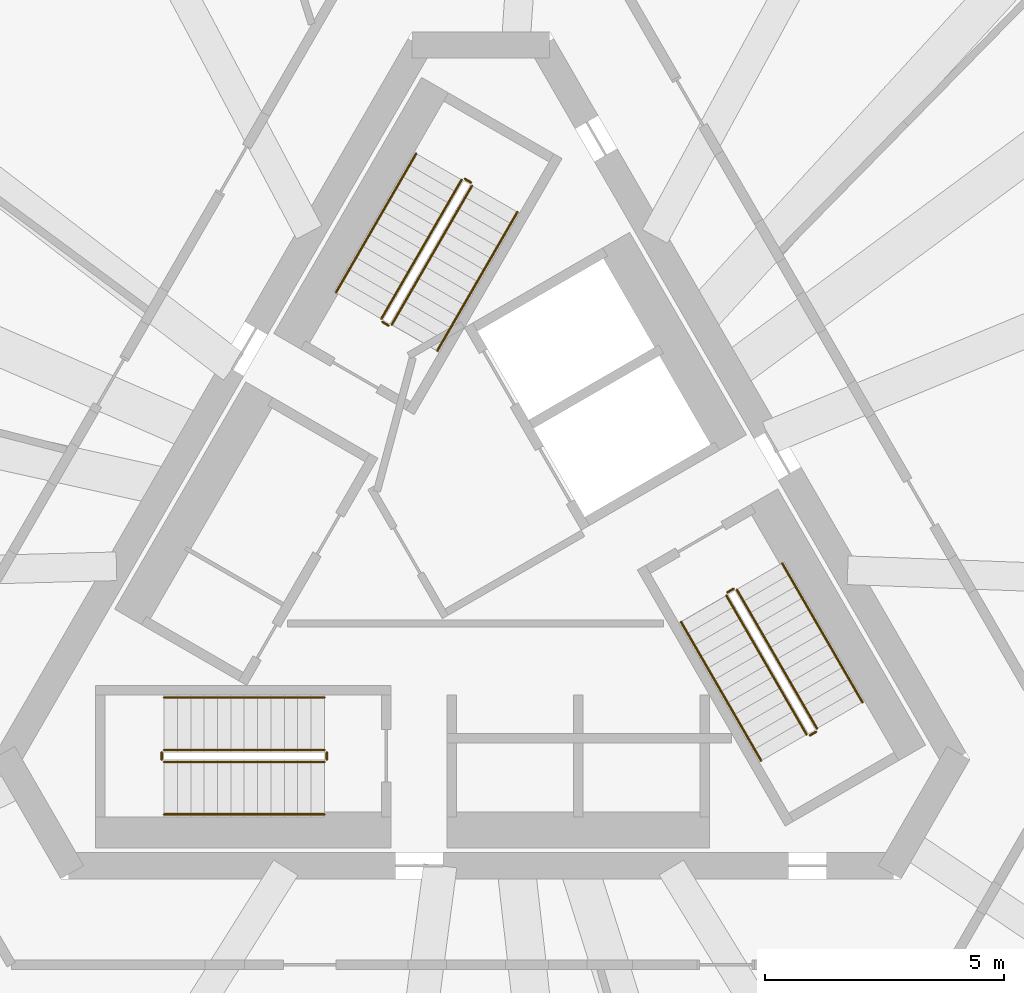
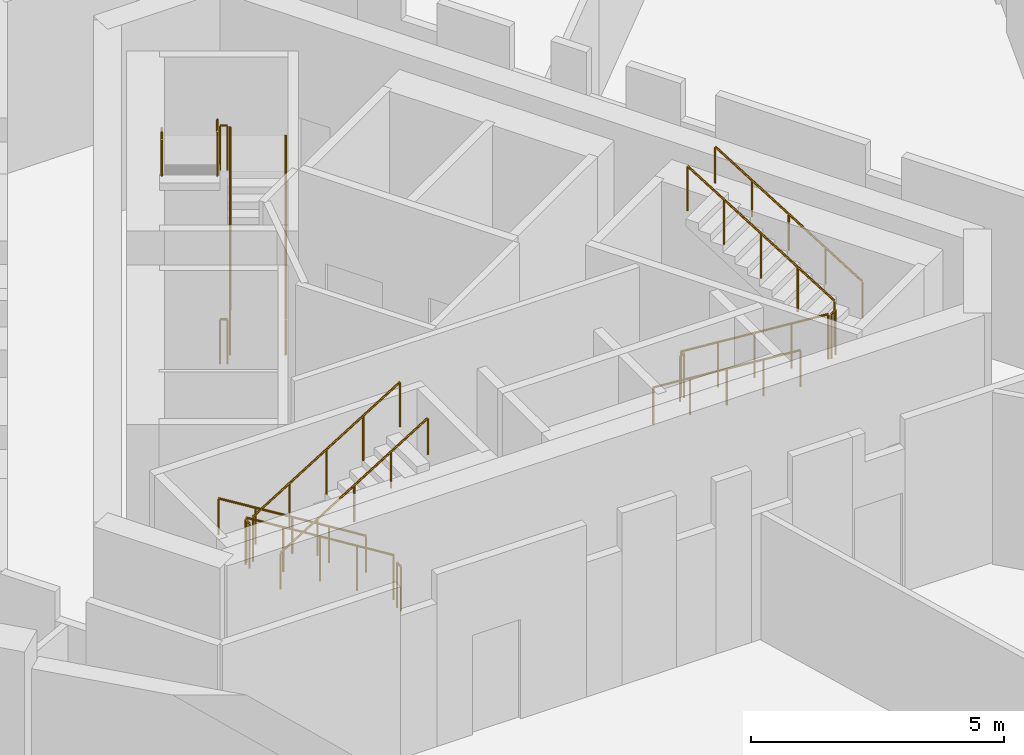
# One storey, part 5 of 5: 18 railings.
"""IFC4 building model written with IfcOpenShell, lengths in metres."""

from ifc_helpers import new_model, si_unit, direction, frame, origin, origin_2d, place, context, subcontext, project, spatial, circle, extrude, material, type_object, element, save


model = new_model("IFC4")

# Units and contexts
model_context = context("Model", 3, precision=1e-05, world=origin(), true_north=direction((0.0, 1.0)))
body_context = subcontext(model_context, "Body", "Model", "MODEL_VIEW")
ifc_project = project(units=[si_unit("LENGTHUNIT", "METRE"), si_unit("AREAUNIT", "SQUARE_METRE"), si_unit("VOLUMEUNIT", "CUBIC_METRE"), si_unit("PLANEANGLEUNIT", "RADIAN"), si_unit("MASSUNIT", "GRAM", prefix="KILO")], contexts=[model_context])

# Site, building, storey
site_placement = place(None, origin())
site = spatial("IfcSite", under=ifc_project, at=site_placement, CompositionType="ELEMENT")
building_placement = place(site_placement, origin())
building = spatial("IfcBuilding", under=site, at=building_placement, Name="Tramontana Tower", CompositionType="ELEMENT")
storey_placement = place(building_placement, frame((0.0, 0.0, 352.39990234375)))
storey = spatial("IfcBuildingStorey", under=building, at=storey_placement, Name="L81", CompositionType="ELEMENT", Elevation=352.39990234375)

# Railings
ifc_material_1 = material(Name="Painted steel", Category="steel")
railing_type_1 = type_object("IfcRailingType", Name="STAIR GUARD 1100", PredefinedType="GUARDRAIL", material=ifc_material_1)
railing_1_placement = place(storey_placement, frame((-1.867431640625, 4.865478515625, 0.173095703125)))
element("IfcRailing", 1, at=railing_1_placement, inside=storey, type_object=railing_type_1, Name="L81 ST1 stair guard 1", PredefinedType="GUARDRAIL", context=body_context, shape_type="SweptSolid", body=[
    extrude(circle(Radius=0.02392578125, at=origin_2d()), frame((0.0, 0.0, 1.076171875), z_axis=(0.425288379326, 0.736667954249, 0.525785240943), x_axis=(-0.866039179741, 0.499976138585, 0.0)), (0.0, 0.0, 1.0), 3.9501953125),
    extrude(circle(Radius=0.02099609375, at=origin_2d()), origin(), (0.0, 0.0, 1.0), 1.052001953125),
    extrude(circle(Radius=0.02099609375, at=origin_2d()), frame((0.419921875, 0.7275390625, 0.519287109375)), (0.0, 0.0, 1.0), 1.052001953125),
    extrude(circle(Radius=0.02099609375, at=origin_2d()), frame((0.83984375, 1.455078125, 1.03857421875)), (0.0, 0.0, 1.0), 1.052001953125),
    extrude(circle(Radius=0.02099609375, at=origin_2d()), frame((1.260009765625, 2.182373046875, 1.5576171875)), (0.0, 0.0, 1.0), 1.052001953125),
    extrude(circle(Radius=0.02099609375, at=origin_2d()), frame((1.679931640625, 2.909912109375, 2.076904296875)), (0.0, 0.0, 1.0), 1.052001953125),
])
railing_2_placement = place(storey_placement, frame((-0.40380859375, 7.900390625, 2.423095703125)))
element("IfcRailing", 2, at=railing_2_placement, inside=storey, type_object=railing_type_1, Name="L81 ST1 stair guard 2", PredefinedType="GUARDRAIL", context=body_context, shape_type="SweptSolid", body=[
    extrude(circle(Radius=0.02392578125, at=origin_2d()), frame((0.0, 0.0, 1.076171875), z_axis=(-0.42533900462, -0.736648589954, 0.52577141998), x_axis=(0.866007717299, -0.500030632641, 0.0)), (0.0, 0.0, 1.0), 3.9501953125),
    extrude(circle(Radius=0.02099609375, at=origin_2d()), origin(), (0.0, 0.0, 1.0), 1.052001953125),
    extrude(circle(Radius=0.02099609375, at=origin_2d()), frame((-0.419921875, -0.7275390625, 0.519287109375)), (0.0, 0.0, 1.0), 1.052001953125),
    extrude(circle(Radius=0.02099609375, at=origin_2d()), frame((-0.840087890625, -1.455078125, 1.03857421875)), (0.0, 0.0, 1.0), 1.052001953125),
    extrude(circle(Radius=0.02099609375, at=origin_2d()), frame((-1.26025390625, -2.182373046875, 1.5576171875)), (0.0, 0.0, 1.0), 1.052001953125),
    extrude(circle(Radius=0.02099609375, at=origin_2d()), frame((-1.68017578125, -2.909912109375, 2.076904296875)), (0.0, 0.0, 1.0), 1.052001953125),
])
railing_3_placement = place(storey_placement, frame((-0.205810546875, 7.84375, 2.25)))
element("IfcRailing", 3, at=railing_3_placement, inside=storey, type_object=railing_type_1, Name="L81 ST1 stair guard 3", PredefinedType="GUARDRAIL", context=body_context, shape_type="SweptSolid", body=[
    extrude(circle(Radius=0.02392578125, at=origin_2d()), frame((0.0, 0.0, 1.076171875), z_axis=(-0.866131372301, 0.499816412211, 0.0), x_axis=(-0.499816412211, -0.866131372301, 0.0)), (0.0, 0.0, 1.0), 0.14990234375),
    extrude(circle(Radius=0.02099609375, at=origin_2d()), origin(), (0.0, 0.0, 1.0), 1.052001953125),
    extrude(circle(Radius=0.02099609375, at=origin_2d()), frame((-0.1298828125, 0.074951171875, 0.0)), (0.0, 0.0, 1.0), 1.052001953125),
])
railing_4_placement = place(storey_placement, frame((-1.935791015625, 4.84716796875, 0.0)))
element("IfcRailing", 4, at=railing_4_placement, inside=storey, type_object=railing_type_1, Name="L81 ST1 stair guard 4", PredefinedType="GUARDRAIL", context=body_context, shape_type="SweptSolid", body=[
    extrude(circle(Radius=0.02392578125, at=origin_2d()), frame((0.0, 0.0, 1.076171875), z_axis=(-0.865426285481, 0.501036270542, 0.0), x_axis=(-0.501036270542, -0.865426285481, 0.0)), (0.0, 0.0, 1.0), 0.150146484375),
    extrude(circle(Radius=0.02099609375, at=origin_2d()), origin(), (0.0, 0.0, 1.0), 1.052001953125),
    extrude(circle(Radius=0.02099609375, at=origin_2d()), frame((-0.1298828125, 0.0751953125, 0.0)), (0.0, 0.0, 1.0), 1.052001953125),
])
railing_5_placement = place(storey_placement, frame((-3.280029296875, -4.050048828125, 0.173095703125)))
element("IfcRailing", 5, at=railing_5_placement, inside=storey, type_object=railing_type_1, Name="L81 ST2 stair guard 1", PredefinedType="GUARDRAIL", context=body_context, shape_type="SweptSolid", body=[
    extrude(circle(Radius=0.02392578125, at=origin_2d()), frame((0.0, 0.0, 1.076171875), z_axis=(-0.850606129759, 0.0, 0.525803396734), x_axis=(0.0, -1.0, 0.0)), (0.0, 0.0, 1.0), 3.949951171875),
    extrude(circle(Radius=0.02099609375, at=origin_2d()), origin(), (0.0, 0.0, 1.0), 1.052001953125),
    extrude(circle(Radius=0.02099609375, at=origin_2d()), frame((-0.83984375, 0.0, 0.519287109375)), (0.0, 0.0, 1.0), 1.052001953125),
    extrude(circle(Radius=0.02099609375, at=origin_2d()), frame((-1.679931640625, 0.0, 1.03857421875)), (0.0, 0.0, 1.0), 1.052001953125),
    extrude(circle(Radius=0.02099609375, at=origin_2d()), frame((-2.52001953125, 0.0, 1.5576171875)), (0.0, 0.0, 1.0), 1.052001953125),
    extrude(circle(Radius=0.02099609375, at=origin_2d()), frame((-3.35986328125, 0.0, 2.076904296875)), (0.0, 0.0, 1.0), 1.052001953125),
])
railing_6_placement = place(storey_placement, frame((-6.639892578125, -4.300048828125, 2.423095703125)))
element("IfcRailing", 6, at=railing_6_placement, inside=storey, type_object=railing_type_1, Name="L81 ST2 stair guard 2", PredefinedType="GUARDRAIL", context=body_context, shape_type="SweptSolid", body=[
    extrude(circle(Radius=0.02392578125, at=origin_2d()), frame((0.0, 0.0, 1.076171875), z_axis=(0.850606129759, 0.0, 0.525803396734), x_axis=(0.0, 1.0, 0.0)), (0.0, 0.0, 1.0), 3.949951171875),
    extrude(circle(Radius=0.02099609375, at=origin_2d()), origin(), (0.0, 0.0, 1.0), 1.052001953125),
    extrude(circle(Radius=0.02099609375, at=origin_2d()), frame((0.83984375, 0.0, 0.519287109375)), (0.0, 0.0, 1.0), 1.052001953125),
    extrude(circle(Radius=0.02099609375, at=origin_2d()), frame((1.679931640625, 0.0, 1.03857421875)), (0.0, 0.0, 1.0), 1.052001953125),
    extrude(circle(Radius=0.02099609375, at=origin_2d()), frame((2.52001953125, 0.0, 1.5576171875)), (0.0, 0.0, 1.0), 1.052001953125),
    extrude(circle(Radius=0.02099609375, at=origin_2d()), frame((3.35986328125, 0.0, 2.076904296875)), (0.0, 0.0, 1.0), 1.052001953125),
])
for number, where, name in (
    (7, (-6.68994140625, -4.10009765625, 2.25), "L81 ST2 stair guard 3"),
    (8, (-3.22998046875, -4.10009765625, 0.0), "L81 ST2 stair guard 4"),
):
    element("IfcRailing", number, at=place(storey_placement, frame(where)), inside=storey, type_object=railing_type_1, Name=name, PredefinedType="GUARDRAIL", context=body_context, shape_type="SweptSolid", body=[
        extrude(circle(Radius=0.02392578125, at=origin_2d()), frame((0.0, 0.0, 1.076171875), z_axis=(0.0, -1.0, 0.0), x_axis=(1.0, 0.0, 0.0)), (0.0, 0.0, 1.0), 0.14990234375),
        extrude(circle(Radius=0.02099609375, at=origin_2d()), origin(), (0.0, 0.0, 1.0), 1.052001953125),
        extrude(circle(Radius=0.02099609375, at=origin_2d()), frame((0.0, -0.14990234375, 0.0)), (0.0, 0.0, 1.0), 1.052001953125),
    ])
railing_7_placement = place(storey_placement, frame((5.1474609375, -0.815673828125, 0.173095703125)))
element("IfcRailing", 9, at=railing_7_placement, inside=storey, type_object=railing_type_1, Name="L81 ST3 stair guard 1", PredefinedType="GUARDRAIL", context=body_context, shape_type="SweptSolid", body=[
    extrude(circle(Radius=0.02392578125, at=origin_2d()), frame((0.0, 0.0, 1.076171875), z_axis=(0.425307743487, -0.736639687092, 0.525809180911), x_axis=(0.866021014662, 0.500007602105, 0.0)), (0.0, 0.0, 1.0), 3.949951171875),
    extrude(circle(Radius=0.02099609375, at=origin_2d()), origin(), (0.0, 0.0, 1.0), 1.052001953125),
    extrude(circle(Radius=0.02099609375, at=origin_2d()), frame((0.419921875, -0.7275390625, 0.519287109375)), (0.0, 0.0, 1.0), 1.052001953125),
    extrude(circle(Radius=0.02099609375, at=origin_2d()), frame((0.83984375, -1.454833984375, 1.03857421875)), (0.0, 0.0, 1.0), 1.052001953125),
    extrude(circle(Radius=0.02099609375, at=origin_2d()), frame((1.260009765625, -2.18212890625, 1.5576171875)), (0.0, 0.0, 1.0), 1.052001953125),
    extrude(circle(Radius=0.02099609375, at=origin_2d()), frame((1.679931640625, -2.90966796875, 2.076904296875)), (0.0, 0.0, 1.0), 1.052001953125),
])
railing_8_placement = place(storey_placement, frame((7.0439453125, -3.600341796875, 2.423095703125)))
element("IfcRailing", 10, at=railing_8_placement, inside=storey, type_object=railing_type_1, Name="L81 ST3 stair guard 2", PredefinedType="GUARDRAIL", context=body_context, shape_type="SweptSolid", body=[
    extrude(circle(Radius=0.02392578125, at=origin_2d()), frame((0.0, 0.0, 1.076171875), z_axis=(-0.425307743487, 0.736639687092, 0.525809180911), x_axis=(-0.866021014662, -0.500007602105, 0.0)), (0.0, 0.0, 1.0), 3.949951171875),
    extrude(circle(Radius=0.02099609375, at=origin_2d()), origin(), (0.0, 0.0, 1.0), 1.052001953125),
    extrude(circle(Radius=0.02099609375, at=origin_2d()), frame((-0.419921875, 0.7275390625, 0.519287109375)), (0.0, 0.0, 1.0), 1.052001953125),
    extrude(circle(Radius=0.02099609375, at=origin_2d()), frame((-0.83984375, 1.454833984375, 1.03857421875)), (0.0, 0.0, 1.0), 1.052001953125),
    extrude(circle(Radius=0.02099609375, at=origin_2d()), frame((-1.260009765625, 2.18212890625, 1.5576171875)), (0.0, 0.0, 1.0), 1.052001953125),
    extrude(circle(Radius=0.02099609375, at=origin_2d()), frame((-1.679931640625, 2.90966796875, 2.076904296875)), (0.0, 0.0, 1.0), 1.052001953125),
])
for number, where, name in (
    (11, (6.895751953125, -3.74365234375, 2.25), "L81 ST3 stair guard 3"),
    (12, (5.165771484375, -0.747314453125, 0.0), "L81 ST3 stair guard 4"),
):
    element("IfcRailing", number, at=place(storey_placement, frame(where)), inside=storey, type_object=railing_type_1, Name=name, PredefinedType="GUARDRAIL", context=body_context, shape_type="SweptSolid", body=[
        extrude(circle(Radius=0.02392578125, at=origin_2d()), frame((0.0, 0.0, 1.076171875), z_axis=(0.866131372301, 0.499816412211, 0.0), x_axis=(-0.499816412211, 0.866131372301, 0.0)), (0.0, 0.0, 1.0), 0.14990234375),
        extrude(circle(Radius=0.02099609375, at=origin_2d()), origin(), (0.0, 0.0, 1.0), 1.052001953125),
        extrude(circle(Radius=0.02099609375, at=origin_2d()), frame((0.1298828125, 0.074951171875, 0.0)), (0.0, 0.0, 1.0), 1.052001953125),
    ])
ifc_material_2 = material(Name="Painted steel", Category="steel")
railing_type_2 = type_object("IfcRailingType", Name="STAIR HANDRAIL 900", PredefinedType="HANDRAIL", material=ifc_material_2)
railing_9_placement = place(storey_placement, frame((-0.914794921875, 4.315673828125, 0.173095703125)))
element("IfcRailing", 13, at=railing_9_placement, inside=storey, type_object=railing_type_2, Name="L81 ST1 stair handrail 1", PredefinedType="HANDRAIL", context=body_context, shape_type="SweptSolid", body=[
    extrude(circle(Radius=0.02392578125, at=origin_2d()), frame((0.0, 0.0, 0.8759765625), z_axis=(0.425307743487, 0.736639687092, 0.525809180911), x_axis=(-0.866021014662, 0.500007602105, 0.0)), (0.0, 0.0, 1.0), 3.949951171875),
    extrude(circle(Radius=0.02099609375, at=origin_2d()), origin(), (0.0, 0.0, 1.0), 0.851806640625),
    extrude(circle(Radius=0.02099609375, at=origin_2d()), frame((0.419921875, 0.7275390625, 0.519287109375)), (0.0, 0.0, 1.0), 0.851806640625),
    extrude(circle(Radius=0.02099609375, at=origin_2d()), frame((0.83984375, 1.454833984375, 1.03857421875)), (0.0, 0.0, 1.0), 0.851806640625),
    extrude(circle(Radius=0.02099609375, at=origin_2d()), frame((1.260009765625, 2.18212890625, 1.5576171875)), (0.0, 0.0, 1.0), 0.851806640625),
    extrude(circle(Radius=0.02099609375, at=origin_2d()), frame((1.679931640625, 2.90966796875, 2.076904296875)), (0.0, 0.0, 1.0), 0.851806640625),
])
railing_10_placement = place(storey_placement, frame((-1.3564453125, 8.450439453125, 2.423095703125)))
element("IfcRailing", 14, at=railing_10_placement, inside=storey, type_object=railing_type_2, Name="L81 ST1 stair handrail 2", PredefinedType="HANDRAIL", context=body_context, shape_type="SweptSolid", body=[
    extrude(circle(Radius=0.02392578125, at=origin_2d()), frame((0.0, 0.0, 0.8759765625), z_axis=(-0.42533900462, -0.736648589954, 0.52577141998), x_axis=(0.866007717299, -0.500030632641, 0.0)), (0.0, 0.0, 1.0), 3.9501953125),
    extrude(circle(Radius=0.02099609375, at=origin_2d()), origin(), (0.0, 0.0, 1.0), 0.851806640625),
    extrude(circle(Radius=0.02099609375, at=origin_2d()), frame((-0.419921875, -0.7275390625, 0.519287109375)), (0.0, 0.0, 1.0), 0.851806640625),
    extrude(circle(Radius=0.02099609375, at=origin_2d()), frame((-0.840087890625, -1.455078125, 1.03857421875)), (0.0, 0.0, 1.0), 0.851806640625),
    extrude(circle(Radius=0.02099609375, at=origin_2d()), frame((-1.26025390625, -2.182373046875, 1.5576171875)), (0.0, 0.0, 1.0), 0.851806640625),
    extrude(circle(Radius=0.02099609375, at=origin_2d()), frame((-1.68017578125, -2.909912109375, 2.076904296875)), (0.0, 0.0, 1.0), 0.851806640625),
])
railing_11_placement = place(storey_placement, frame((-3.280029296875, -2.949951171875, 0.173095703125)))
element("IfcRailing", 15, at=railing_11_placement, inside=storey, type_object=railing_type_2, Name="L81 ST2 stair handrail 1", PredefinedType="HANDRAIL", context=body_context, shape_type="SweptSolid", body=[
    extrude(circle(Radius=0.02392578125, at=origin_2d()), frame((0.0, 0.0, 0.8759765625), z_axis=(-0.850606129759, 0.0, 0.525803396734), x_axis=(0.0, -1.0, 0.0)), (0.0, 0.0, 1.0), 3.949951171875),
    extrude(circle(Radius=0.02099609375, at=origin_2d()), origin(), (0.0, 0.0, 1.0), 0.851806640625),
    extrude(circle(Radius=0.02099609375, at=origin_2d()), frame((-0.83984375, 0.0, 0.519287109375)), (0.0, 0.0, 1.0), 0.851806640625),
    extrude(circle(Radius=0.02099609375, at=origin_2d()), frame((-1.679931640625, 0.0, 1.03857421875)), (0.0, 0.0, 1.0), 0.851806640625),
    extrude(circle(Radius=0.02099609375, at=origin_2d()), frame((-2.52001953125, 0.0, 1.5576171875)), (0.0, 0.0, 1.0), 0.851806640625),
    extrude(circle(Radius=0.02099609375, at=origin_2d()), frame((-3.35986328125, 0.0, 2.076904296875)), (0.0, 0.0, 1.0), 0.851806640625),
])
railing_12_placement = place(storey_placement, frame((-6.639892578125, -5.39990234375, 2.423095703125)))
element("IfcRailing", 16, at=railing_12_placement, inside=storey, type_object=railing_type_2, Name="L81 ST2 stair handrail 2", PredefinedType="HANDRAIL", context=body_context, shape_type="SweptSolid", body=[
    extrude(circle(Radius=0.02392578125, at=origin_2d()), frame((0.0, 0.0, 0.8759765625), z_axis=(0.850606129759, 0.0, 0.525803396734), x_axis=(0.0, 1.0, 0.0)), (0.0, 0.0, 1.0), 3.949951171875),
    extrude(circle(Radius=0.02099609375, at=origin_2d()), origin(), (0.0, 0.0, 1.0), 0.851806640625),
    extrude(circle(Radius=0.02099609375, at=origin_2d()), frame((0.83984375, 0.0, 0.519287109375)), (0.0, 0.0, 1.0), 0.851806640625),
    extrude(circle(Radius=0.02099609375, at=origin_2d()), frame((1.679931640625, 0.0, 1.03857421875)), (0.0, 0.0, 1.0), 0.851806640625),
    extrude(circle(Radius=0.02099609375, at=origin_2d()), frame((2.52001953125, 0.0, 1.5576171875)), (0.0, 0.0, 1.0), 0.851806640625),
    extrude(circle(Radius=0.02099609375, at=origin_2d()), frame((3.35986328125, 0.0, 2.076904296875)), (0.0, 0.0, 1.0), 0.851806640625),
])
railing_13_placement = place(storey_placement, frame((4.19482421875, -1.365478515625, 0.173095703125)))
element("IfcRailing", 17, at=railing_13_placement, inside=storey, type_object=railing_type_2, Name="L81 ST3 stair handrail 1", PredefinedType="HANDRAIL", context=body_context, shape_type="SweptSolid", body=[
    extrude(circle(Radius=0.02392578125, at=origin_2d()), frame((0.0, 0.0, 0.8759765625), z_axis=(0.425288379326, -0.736667954249, 0.525785240943), x_axis=(0.866039179741, 0.499976138585, 0.0)), (0.0, 0.0, 1.0), 3.9501953125),
    extrude(circle(Radius=0.02099609375, at=origin_2d()), origin(), (0.0, 0.0, 1.0), 0.851806640625),
    extrude(circle(Radius=0.02099609375, at=origin_2d()), frame((0.419921875, -0.7275390625, 0.519287109375)), (0.0, 0.0, 1.0), 0.851806640625),
    extrude(circle(Radius=0.02099609375, at=origin_2d()), frame((0.83984375, -1.455078125, 1.03857421875)), (0.0, 0.0, 1.0), 0.851806640625),
    extrude(circle(Radius=0.02099609375, at=origin_2d()), frame((1.260009765625, -2.182373046875, 1.5576171875)), (0.0, 0.0, 1.0), 0.851806640625),
    extrude(circle(Radius=0.02099609375, at=origin_2d()), frame((1.679931640625, -2.909912109375, 2.076904296875)), (0.0, 0.0, 1.0), 0.851806640625),
])
railing_14_placement = place(storey_placement, frame((7.99658203125, -3.05029296875, 2.423095703125)))
element("IfcRailing", 18, at=railing_14_placement, inside=storey, type_object=railing_type_2, Name="L81 ST3 stair handrail 2", PredefinedType="HANDRAIL", context=body_context, shape_type="SweptSolid", body=[
    extrude(circle(Radius=0.02392578125, at=origin_2d()), frame((0.0, 0.0, 0.8759765625), z_axis=(-0.425307743487, 0.736639687092, 0.525809180911), x_axis=(-0.866021014662, -0.500007602105, 0.0)), (0.0, 0.0, 1.0), 3.949951171875),
    extrude(circle(Radius=0.02099609375, at=origin_2d()), origin(), (0.0, 0.0, 1.0), 0.851806640625),
    extrude(circle(Radius=0.02099609375, at=origin_2d()), frame((-0.419921875, 0.7275390625, 0.519287109375)), (0.0, 0.0, 1.0), 0.851806640625),
    extrude(circle(Radius=0.02099609375, at=origin_2d()), frame((-0.83984375, 1.454833984375, 1.03857421875)), (0.0, 0.0, 1.0), 0.851806640625),
    extrude(circle(Radius=0.02099609375, at=origin_2d()), frame((-1.260009765625, 2.18212890625, 1.5576171875)), (0.0, 0.0, 1.0), 0.851806640625),
    extrude(circle(Radius=0.02099609375, at=origin_2d()), frame((-1.679931640625, 2.90966796875, 2.076904296875)), (0.0, 0.0, 1.0), 0.851806640625),
])

save(model, "model.ifc")
